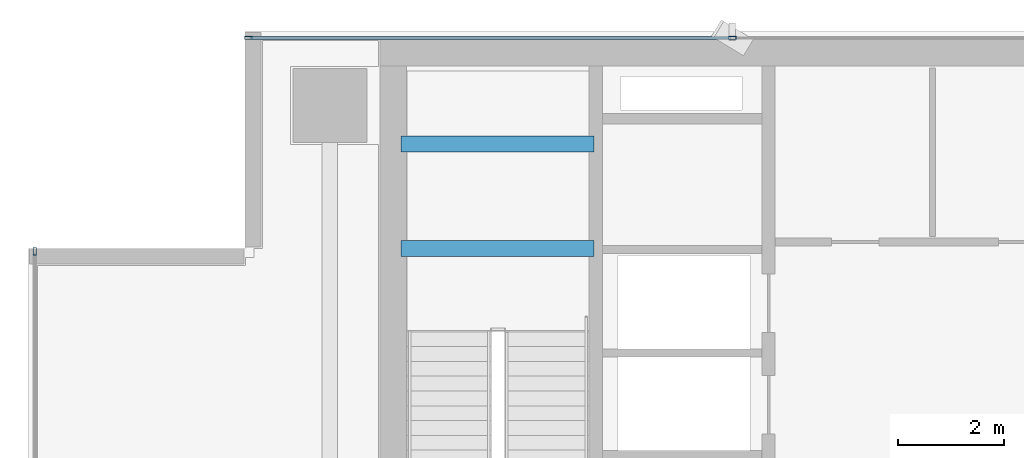
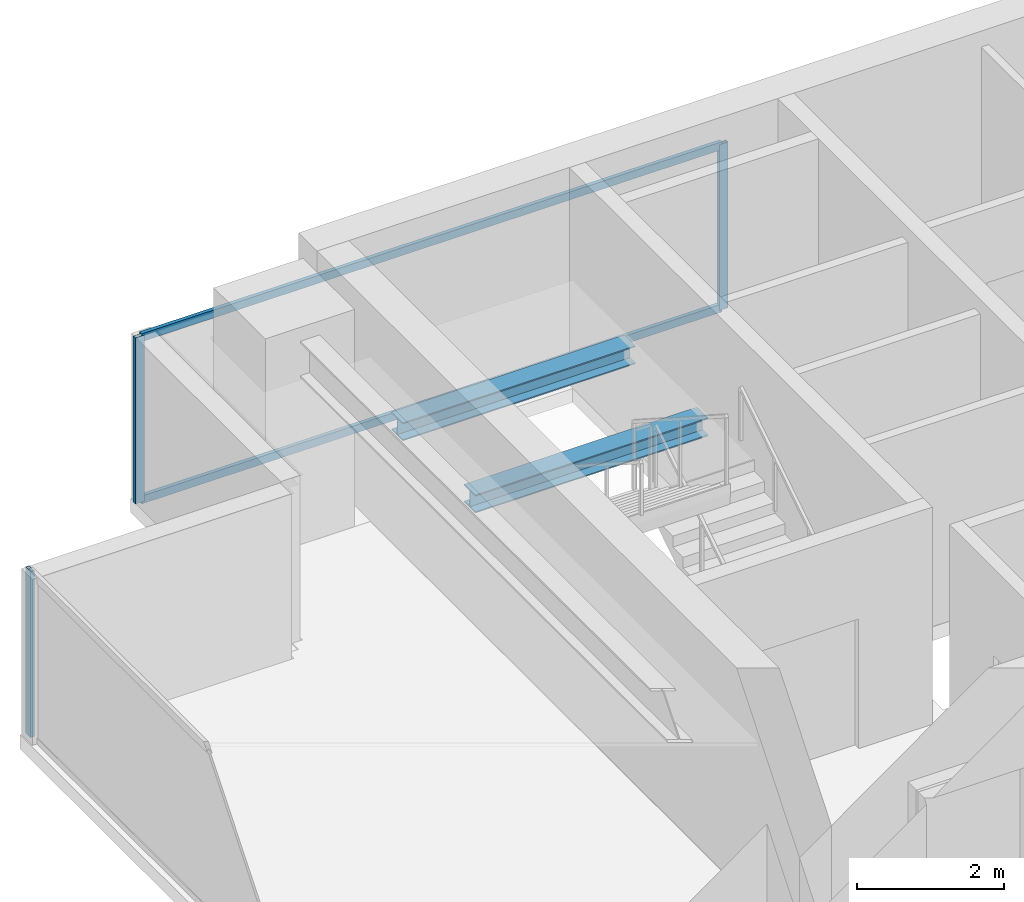
# One storey, part 15 of 26: 5 members, 2 beams, 2 elements without a shape of their own.
"""IFC4 building model written with IfcOpenShell, lengths in metres."""

from ifc_helpers import new_model, si_unit, direction, frame, origin, origin_2d, place, context, subcontext, project, spatial, hollow_rectangle, i_section, extrude, source, transform, mapped, material, layer, layer_set, material_profile, profile_set, type_object, element, aggregate, save


model = new_model("IFC4")

# Units and contexts
model_context = context("Model", 3, precision=1e-05, world=origin(), true_north=direction((0.0, 1.0)))
body_context = subcontext(model_context, "Body", "Model", "MODEL_VIEW")
ifc_project = project(units=[si_unit("LENGTHUNIT", "METRE"), si_unit("AREAUNIT", "SQUARE_METRE"), si_unit("VOLUMEUNIT", "CUBIC_METRE"), si_unit("PLANEANGLEUNIT", "RADIAN"), si_unit("MASSUNIT", "GRAM", prefix="KILO")], contexts=[model_context])

# Site, building, storey
site_placement = place(None, origin())
site = spatial("IfcSite", under=ifc_project, at=site_placement, CompositionType="ELEMENT")
building_placement = place(site_placement, origin())
building = spatial("IfcBuilding", under=site, at=building_placement, Name="Sumidabori Civic Tower", CompositionType="ELEMENT")
storey_placement = place(building_placement, frame((0.0, 0.0, 236.0)))
storey = spatial("IfcBuildingStorey", under=building, at=storey_placement, Name="L61", CompositionType="ELEMENT", Elevation=236.0)

# Beams
ifc_material_1 = material(Name="Steel SN490", Category="steel")
ifc_material_profile_1 = material_profile(ifc_material_1, i_section(OverallWidth=0.300048828125, OverallDepth=0.300048828125, WebThickness=0.010986328125, FlangeThickness=0.01904296875, at=origin_2d()), Name="HE 300 B")
ifc_profile_set_1 = profile_set([ifc_material_profile_1], Name="Steel SN490")
beam_type = type_object("IfcBeamType", Name="BM-LDG-300", PredefinedType="BEAM", material=ifc_profile_set_1)
shared_shape_1 = source(origin(), body_context, "Body", "SweptSolid", [
    extrude(i_section(OverallWidth=0.300048828125, OverallDepth=0.300048828125, WebThickness=0.010986328125, FlangeThickness=0.01904296875, at=origin_2d()), origin(), (0.0, 0.0, 1.0), 3.64990234375),
])
for number, where, z_axis, x_axis, name in (
    (1, (-15.449951171875, 20.09765625, 1.449951171875), (1.0, 0.0, 0.0), (0.0, 1.0, 0.0), "Stair ST-1 Landing Support Beam L61-1A"),
    (2, (-15.449951171875, 22.069580078125, 1.449951171875), (1.0, 0.0, 0.0), (0.0, 1.0, 0.0), "Stair ST-1 Landing Trimmer Beam L61-1B"),
):
    element("IfcBeam", number, at=place(storey_placement, frame(where, z_axis=z_axis, x_axis=x_axis)), inside=storey, type_object=beam_type, Name=name, PredefinedType="BEAM", context=body_context, shape_type="MappedRepresentation", body=[
        mapped(shared_shape_1, transform((0.0, 0.0, 0.0), x_axis=(1.0, 0.0, 0.0), y_axis=(0.0, 1.0, 0.0), z_axis=(0.0, 0.0, 1.0), scale=1.0)),
    ])

# Curtain wall, members
ifc_material_2 = material(Name="Anodised Bronze Aluminium AW-6063-T6", Category="aluminium")
ifc_layer = layer(ifc_material_2, 0.179931640625, Name="Anodised Bronze Aluminium AW-6063-T6")
ifc_layer_set = layer_set([ifc_layer], Name="Anodised Bronze Aluminium AW-6063-T6")
curtain_wall_type = type_object("IfcCurtainWallType", Name="CW-SYS-5", PredefinedType="NOTDEFINED", material=ifc_layer_set)
curtain_wall_1_placement = place(storey_placement, origin())
curtain_wall_1 = element("IfcCurtainWall", 3, at=curtain_wall_1_placement, inside=storey, type_object=curtain_wall_type, Name="Curtain Wall CW:L61:R07", PredefinedType="NOTDEFINED")
ifc_material_profile_2 = material_profile(ifc_material_2, hollow_rectangle(XDim=0.06005859375, YDim=0.1298828125, WallThickness=0.0048828125, at=origin_2d()), Name="ALU TRANSOM 130x60")
ifc_profile_set_2 = profile_set([ifc_material_profile_2], Name="Anodised Bronze Aluminium AW-6063-T6")
member_type_1 = type_object("IfcMemberType", Name="CW-TRN-130", PredefinedType="USERDEFINED", material=ifc_profile_set_2)
shared_shape_2 = source(origin(), body_context, "Body", "SweptSolid", [
    extrude(hollow_rectangle(XDim=0.06005859375, YDim=0.1298828125, WallThickness=0.0048828125, at=origin_2d()), origin(), (0.0, 0.0, 1.0), 9.094970703125),
])
member_1_placement = place(storey_placement, frame((-9.215087890625, 24.080078125, 0.030029296875), z_axis=(-1.0, 0.0, 0.0), x_axis=(0.0, -1.0, 0.0)))
member_1 = element("IfcMember", 4, at=member_1_placement, type_object=member_type_1, Name="CW-5 transom 4.1", ObjectType="TRANSOM", PredefinedType="USERDEFINED", context=body_context, shape_type="MappedRepresentation", body=[
    mapped(shared_shape_2, transform((0.0, 0.0, 0.0), x_axis=(1.0, 0.0, 0.0), y_axis=(0.0, 1.0, 0.0), z_axis=(0.0, 0.0, 1.0), scale=1.0)),
])
member_2_placement = place(storey_placement, frame((-9.215087890625, 24.080078125, 2.719970703125), z_axis=(-1.0, 0.0, 0.0), x_axis=(0.0, -1.0, 0.0)))
member_2 = element("IfcMember", 5, at=member_2_placement, type_object=member_type_1, Name="CW-5 transom 4.2", ObjectType="TRANSOM", PredefinedType="USERDEFINED", context=body_context, shape_type="MappedRepresentation", body=[
    mapped(shared_shape_2, transform((0.0, 0.0, 0.0), x_axis=(1.0, 0.0, 0.0), y_axis=(0.0, 1.0, 0.0), z_axis=(0.0, 0.0, 1.0), scale=1.0)),
])
ifc_material_profile_3 = material_profile(ifc_material_2, hollow_rectangle(XDim=0.06005859375, YDim=0.139892578125, WallThickness=0.0048828125, at=origin_2d()), Name="ALU MULLION 140x60")
ifc_profile_set_3 = profile_set([ifc_material_profile_3], Name="Anodised Bronze Aluminium AW-6063-T6")
member_type_2 = type_object("IfcMemberType", Name="CW-MUL-140", PredefinedType="MULLION", material=ifc_profile_set_3)
shared_shape_3 = source(origin(), body_context, "Body", "SweptSolid", [
    extrude(hollow_rectangle(XDim=0.06005859375, YDim=0.139892578125, WallThickness=0.0048828125, at=origin_2d()), origin(), (0.0, 0.0, 1.0), 2.75),
])
member_3_placement = place(storey_placement, frame((-9.18505859375, 24.080078125, 0.0), z_axis=(0.0, 0.0, 1.0), x_axis=(0.0, -1.0, 0.0)))
member_3 = element("IfcMember", 6, at=member_3_placement, type_object=member_type_2, Name="CW-5 mullion 4", PredefinedType="MULLION", context=body_context, shape_type="MappedRepresentation", body=[
    mapped(shared_shape_3, transform((0.0, 0.0, 0.0), x_axis=(1.0, 0.0, 0.0), y_axis=(0.0, 1.0, 0.0), z_axis=(0.0, 0.0, 1.0), scale=1.0)),
])
member_4_placement = place(storey_placement, frame((-18.340087890625, 24.080078125, 0.0), z_axis=(0.0, 0.0, 1.0), x_axis=(0.0, -1.0, 0.0)))
member_4 = element("IfcMember", 7, at=member_4_placement, type_object=member_type_2, Name="CW-5 mullion 5", PredefinedType="MULLION", context=body_context, shape_type="MappedRepresentation", body=[
    mapped(shared_shape_3, transform((0.0, 0.0, 0.0), x_axis=(1.0, 0.0, 0.0), y_axis=(0.0, 1.0, 0.0), z_axis=(0.0, 0.0, 1.0), scale=1.0)),
])
aggregate(curtain_wall_1, [member_3, member_4, member_1, member_2])

# Curtain wall, member
curtain_wall_2_placement = place(storey_placement, origin())
curtain_wall_2 = element("IfcCurtainWall", 8, at=curtain_wall_2_placement, inside=storey, type_object=curtain_wall_type, Name="Curtain Wall CW:L61:R10", PredefinedType="NOTDEFINED")
member_5_placement = place(storey_placement, frame((-22.3798828125, 20.0400390625, 0.0), z_axis=(0.0, 0.0, 1.0), x_axis=(1.0, 0.0, 0.0)))
member_5 = element("IfcMember", 9, at=member_5_placement, type_object=member_type_2, Name="CW-5 mullion 1", PredefinedType="MULLION", context=body_context, shape_type="MappedRepresentation", body=[
    mapped(shared_shape_3, transform((0.0, 0.0, 0.0), x_axis=(1.0, 0.0, 0.0), y_axis=(0.0, 1.0, 0.0), z_axis=(0.0, 0.0, 1.0), scale=1.0)),
])
aggregate(curtain_wall_2, [member_5])

save(model, "model.ifc")
